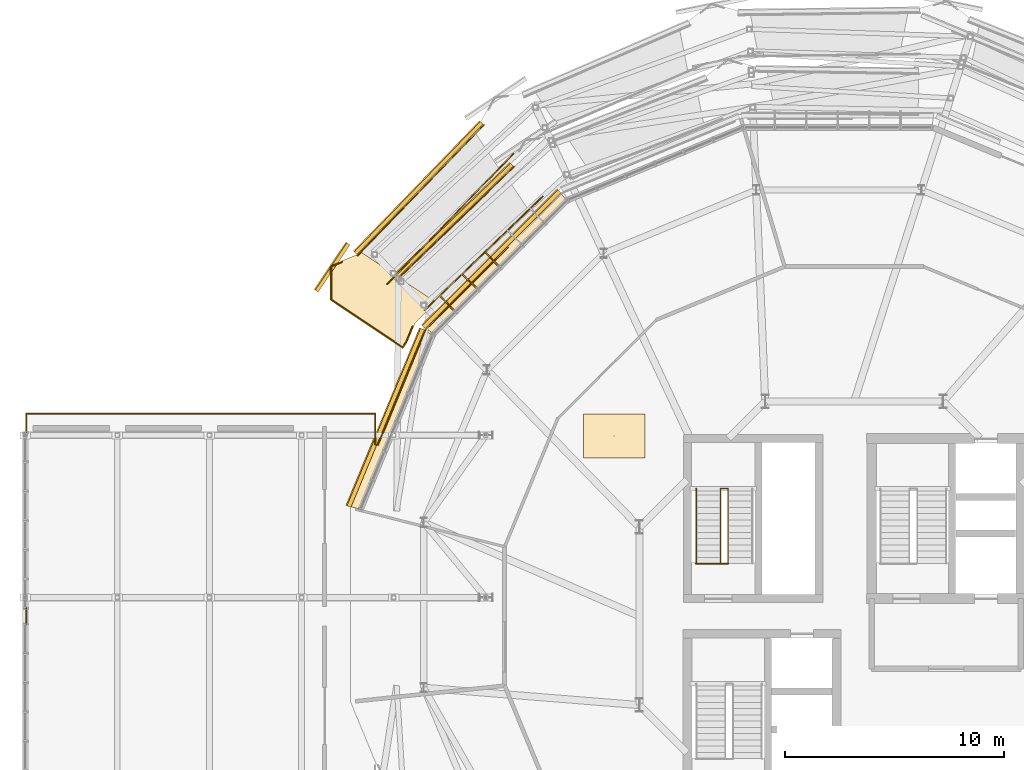
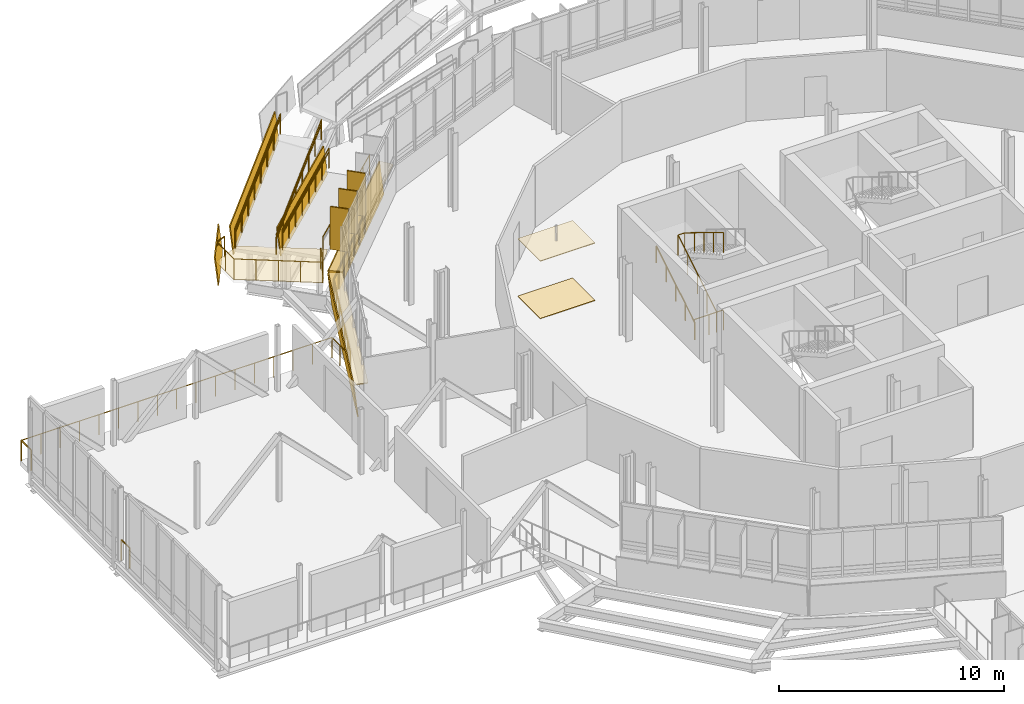
# One storey, part 102 of 107: 33 railings, 10 coverings, 3 shading devices.
"""IFC4 building model written with IfcOpenShell, lengths in metres."""

from ifc_helpers import new_model, si_unit, derived_unit, direction, frame, origin, origin_2d, place, context, subcontext, project, spatial, polyline, rectangle, circle, outline, extrude, material, layer, layer_set, type_object, element, save


model = new_model("IFC4")

# Units and contexts
model_context = context("Model", 3, precision=1e-05, world=origin(), true_north=direction((0.0, 1.0)))
body_context = subcontext(model_context, "Body", "Model", "MODEL_VIEW")
ifc_project = project(units=[si_unit("LENGTHUNIT", "METRE"), si_unit("AREAUNIT", "SQUARE_METRE"), si_unit("VOLUMEUNIT", "CUBIC_METRE"), si_unit("PLANEANGLEUNIT", "RADIAN"), si_unit("MASSUNIT", "GRAM", prefix="KILO"), derived_unit("THERMALTRANSMITTANCEUNIT", [(si_unit("MASSUNIT", "GRAM", prefix="KILO"), 1), (si_unit("TIMEUNIT", "SECOND"), -3), (si_unit("THERMODYNAMICTEMPERATUREUNIT", "KELVIN"), -1)])], contexts=[model_context])

# Site, building, storey
site_placement = place(None, origin())
site = spatial("IfcSite", under=ifc_project, at=site_placement, CompositionType="ELEMENT")
building_placement = place(site_placement, origin())
building = spatial("IfcBuilding", under=site, at=building_placement, Name="Makaiwela Harbour Ferry Terminal", CompositionType="ELEMENT")
storey_placement = place(building_placement, frame((0.0, 0.0, 9.60009765625)))
storey = spatial("IfcBuildingStorey", under=building, at=storey_placement, Name="L02", CompositionType="ELEMENT", Elevation=9.60009765625)

# Coverings
ifc_material_1 = material(Name="White glazed marine ceramic rainscreen tile", Category="masonry")
ifc_layer_1 = layer(ifc_material_1, 0.054931640625)
ifc_layer_set_1 = layer_set([ifc_layer_1], Name="White glazed marine ceramic rainscreen tile")
covering_type_1 = type_object("IfcCoveringType", Name="ENV-CLD-CERAMIC", PredefinedType="CLADDING", material=ifc_layer_set_1)
covering_1_placement = place(storey_placement, frame((24.439453125, 86.9130859375, -0.239990234375), z_axis=(0.702885612922, -0.702885612922, 0.109103759309), x_axis=(-0.707106947109, -0.707106615261, 2.137879e-06)))
element("IfcCovering", 1, at=covering_1_placement, inside=storey, type_object=covering_type_1, Name="Ceramic Spandrel Facet CLD-0053", PredefinedType="CLADDING", context=body_context, shape_type="SweptSolid", body=[
    extrude(outline(polyline([(0.0, 0.0), (8.757524390355305, -5.551115123125783e-17), (8.757528198331453, -1.770560641051703), (3.8080571655779483e-06, -1.7705983109775136), (0.0, 0.0)])), origin(), (0.0, 0.0, -1.0), 0.054931640625),
])
covering_2_placement = place(storey_placement, frame((0.0, 0.0, 1.47998046875)))
element("IfcCovering", 2, at=covering_2_placement, inside=storey, type_object=covering_type_1, Name="Ceramic Ring Sill Cap CLD-0054", PredefinedType="CLADDING", context=body_context, shape_type="SweptSolid", body=[
    extrude(outline(polyline([(24.302734375, 87.0498046875), (18.1103515625, 80.857177734375), (18.612548828125, 80.46484375), (24.695068359375, 86.54736328125), (24.302734375, 87.0498046875)])), origin(), (0.0, 0.0, 1.0), 0.054931640625),
])
covering_3_placement = place(storey_placement, frame((18.20361328125, 80.656005859375, -0.239990234375), z_axis=(0.918367954465, -0.380387945776, 0.109111460991), x_axis=(-0.382672684916, -0.923883984177, 0.0)))
element("IfcCovering", 3, at=covering_3_placement, inside=storey, type_object=covering_type_1, Name="Ceramic Spandrel Facet CLD-0055", PredefinedType="CLADDING", context=body_context, shape_type="SweptSolid", body=[
    extrude(outline(polyline([(0.0, 0.0), (8.757662857778147, 0.0), (8.757613269269331, -1.770580981784045), (-4.958850881633947e-05, -1.7705809817840452), (0.0, 0.0)])), origin(), (0.0, 0.0, -1.0), 0.054931640625),
])
covering_4_placement = place(storey_placement, frame((0.0, 0.0, 1.47998046875)))
element("IfcCovering", 4, at=covering_4_placement, inside=storey, type_object=covering_type_1, Name="Ceramic Ring Sill Cap CLD-0056", PredefinedType="CLADDING", context=body_context, shape_type="SweptSolid", body=[
    extrude(outline(polyline([(18.025146484375, 80.72998046875), (14.673828125, 72.638916015625), (15.2880859375, 72.46875), (18.579833984375, 80.416015625), (18.025146484375, 80.72998046875)])), origin(), (0.0, 0.0, 1.0), 0.054931640625),
])
covering_5_placement = place(storey_placement, frame((22.252197265625, 88.135498046875, 0.85986328125), z_axis=(0.696440652823, -0.709139254873, 0.109963331588), x_axis=(-0.717356115452, -0.692078722096, 0.080170106928)))
element("IfcCovering", 5, at=covering_5_placement, inside=storey, type_object=covering_type_1, Name="Coiled Ramp Ceramic Fascia CLD-R0041", PredefinedType="CLADDING", context=body_context, shape_type="SweptSolid", body=[
    extrude(outline(polyline([(0.0, 0.0), (7.485304426329747, 0.0), (7.6070730451682085, -1.5244389731286612), (0.12176861883846074, -1.5244389731286612), (0.0, 0.0)])), origin(), (0.0, 0.0, -1.0), 0.054931640625),
])
covering_6_placement = place(storey_placement, frame((14.805419921875, 84.534912109375, 1.4599609375), z_axis=(0.826426607134, -0.552211081496, 0.109918080831), x_axis=(-0.555577390069, -0.831464830069, -1.41527e-06)))
element("IfcCovering", 6, at=covering_6_placement, inside=storey, type_object=covering_type_1, Name="Coiled Ramp Ceramic Fascia CLD-R0042", PredefinedType="CLADDING", context=body_context, shape_type="SweptSolid", body=[
    extrude(outline(polyline([(0.0, 0.0), (2.5997523059280994, 2.7755575615628914e-17), (2.5999274690024916, -1.529289712637063), (-0.00016347028013386972, -1.5292823085918787), (0.0, 0.0)])), origin(), (0.0, 0.0, -1.0), 0.054931640625),
])
covering_7_placement = place(storey_placement, frame((15.122314453125, 84.098388671875, 1.4599609375), z_axis=(0.708763340023, -0.696823604296, 0.109960867293), x_axis=(0.693501347634, 0.716808603157, 0.072396873349)))
element("IfcCovering", 7, at=covering_7_placement, inside=storey, type_object=covering_type_1, Name="Coiled Ramp Ceramic Fascia CLD-R0043", PredefinedType="CLADDING", context=body_context, shape_type="SweptSolid", body=[
    extrude(outline(polyline([(0.0, 0.0), (8.2856273741991, -2.220446049250313e-16), (8.395688674810085, 1.525328247583873), (0.11006130061098614, 1.525328247583873), (0.0, 0.0)])), origin(), (0.0, 0.0, -1.0), 0.054931640625),
])

# Shading devices
ifc_material_2 = material(Name="Thermally modified Accoya timber and anodised aluminium", Category="wood")
ifc_layer_2 = layer(ifc_material_2, 0.06005859375)
ifc_layer_set_2 = layer_set([ifc_layer_2], Name="Thermally modified Accoya timber and anodised aluminium")
shading_device_type = type_object("IfcShadingDeviceType", Name="ENV-FIN-850", PredefinedType="USERDEFINED", material=ifc_layer_set_2)
for number, where, z_axis, x_axis, name in (
    (8, (21.2734375, 83.886474609375, 1.609375), (0.0, 0.0, 1.0), (-0.707106781187, 0.707106781187, 0.0), "Vertical Solar Fin SFN-0053"),
    (9, (20.259765625, 82.872802734375, 1.609375), (0.0, 0.0, 1.0), (-0.707106781187, 0.707106781187, 0.0), "Vertical Solar Fin SFN-0054"),
    (10, (19.24609375, 81.859130859375, 1.609375), (0.0, 0.0, 1.0), (-0.707106781187, 0.707106781187, 0.0), "Vertical Solar Fin SFN-0055"),
):
    element("IfcShadingDevice", number, at=place(storey_placement, frame(where, z_axis=z_axis, x_axis=x_axis)), inside=storey, type_object=shading_device_type, Name=name, ObjectType="SOLAR FIN", PredefinedType="USERDEFINED", context=body_context, shape_type="SweptSolid", body=[
        extrude(rectangle(XDim=0.85009765625, YDim=0.06005859375, at=origin_2d()), origin(), (0.0, 0.0, 1.0), 2.320068359375),
    ])

# Coverings
ifc_material_3 = material(Name="Thermally modified Accoya timber acoustic slat ceiling", Category="wood")
ifc_layer_3 = layer(ifc_material_3, 0.0400390625)
ifc_layer_set_3 = layer_set([ifc_layer_3], Name="Thermally modified Accoya timber acoustic slat ceiling")
covering_type_2 = type_object("IfcCoveringType", Name="INT-COV-CEIL", PredefinedType="CEILING", material=ifc_layer_set_3)
covering_8_placement = place(storey_placement, frame((0.0, 0.0, 3.099853515625)))
element("IfcCovering", 11, at=covering_8_placement, inside=storey, type_object=covering_type_2, Name="Acoustic Timber Ceiling CLG-047", PredefinedType="CEILING", context=body_context, shape_type="SweptSolid", body=[
    extrude(outline(polyline([(25.459228515625, 74.814697265625), (28.25927734375, 74.814697265625), (28.25927734375, 76.814697265625), (25.459228515625, 76.814697265625), (25.459228515625, 74.814697265625)])), origin(), (0.0, 0.0, 1.0), 0.0400390625),
])
ifc_material_4 = material(Name="Honed coral-aggregate epoxy terrazzo flooring", Category="concrete")
ifc_layer_4 = layer(ifc_material_4, 0.02490234375)
ifc_layer_set_4 = layer_set([ifc_layer_4], Name="Honed coral-aggregate epoxy terrazzo flooring")
covering_type_3 = type_object("IfcCoveringType", Name="INT-COV-FLR", PredefinedType="FLOORING", material=ifc_layer_set_4)
covering_9_placement = place(storey_placement, frame((0.0, 0.0, 1.7998046875)))
element("IfcCovering", 12, at=covering_9_placement, inside=storey, type_object=covering_type_3, Name="Ramp Landing Terrazzo RMP-COIL-L02-UTURN", PredefinedType="FLOORING", context=body_context, shape_type="SweptSolid", body=[
    extrude(outline(polyline([(17.41064453125, 80.0693359375), (17.787353515625, 80.978759765625), (17.787353515625, 80.97900390625), (17.787353515625, 80.97900390625), (17.78759765625, 80.979248046875), (17.78759765625, 80.9794921875), (18.4833984375, 81.67529296875), (18.669189453125, 81.953369140625), (15.343505859375, 84.175537109375), (13.897705078125, 83.577880859375), (13.89892578125, 82.013916015625), (17.224853515625, 79.79150390625), (17.41064453125, 80.0693359375)])), origin(), (0.0, 0.0, 1.0), 0.025146484375),
])
covering_10_placement = place(storey_placement, origin())
element("IfcCovering", 13, at=covering_10_placement, inside=storey, type_object=covering_type_3, Name="Terrazzo Flooring FLG-047", PredefinedType="FLOORING", context=body_context, shape_type="SweptSolid", body=[
    extrude(outline(polyline([(25.459228515625, 74.814697265625), (28.25927734375, 74.814697265625), (28.25927734375, 76.814697265625), (25.459228515625, 76.814697265625), (25.459228515625, 74.814697265625)])), origin(), (0.0, 0.0, 1.0), 0.02490234375),
])

# Railings
ifc_material_5 = material(Name="Marine grade 316L brushed stainless steel", Category="steel")
railing_type_1 = type_object("IfcRailingType", Name="INT-RL-GRD110", PredefinedType="GUARDRAIL", material=ifc_material_5)
railing_1_placement = place(storey_placement, frame((30.570068359375, 70.0, 0.0)))
element("IfcRailing", 14, at=railing_1_placement, inside=storey, type_object=railing_type_1, Name="Stair top well guardrail RL-0046", PredefinedType="GUARDRAIL", context=body_context, shape_type="SweptSolid", body=[
    extrude(circle(Radius=0.02392578125, at=origin_2d()), frame((0.0, 0.0, 1.09619140625), z_axis=(1.0, 0.0, 0.0), x_axis=(0.0, 1.0, 0.0)), (0.0, 0.0, 1.0), 1.47998046875),
    extrude(circle(Radius=0.02099609375, at=origin_2d()), origin(), (0.0, 0.0, 1.0), 1.072021484375),
    extrude(circle(Radius=0.02099609375, at=origin_2d()), frame((0.739990234375, 0.0, 0.0)), (0.0, 0.0, 1.0), 1.072021484375),
    extrude(circle(Radius=0.02099609375, at=origin_2d()), frame((1.47998046875, 0.0, 0.0)), (0.0, 0.0, 1.0), 1.072021484375),
])
railing_2_placement = place(storey_placement, frame((31.7099609375, 70.0, 0.0)))
element("IfcRailing", 15, at=railing_2_placement, inside=storey, type_object=railing_type_1, Name="Stair well guardrail RL-0049", PredefinedType="GUARDRAIL", context=body_context, shape_type="SweptSolid", body=[
    extrude(circle(Radius=0.02392578125, at=origin_2d()), frame((0.0, 0.0, 1.09619140625), z_axis=(0.0, 0.852182171552, 0.523245206847), x_axis=(-1.0, 0.0, 0.0)), (0.0, 0.0, 1.0), 4.01318359375),
    extrude(circle(Radius=0.02392578125, at=origin_2d()), frame((0.0, 3.419921875, 3.19580078125), z_axis=(1.0, 0.0, 0.0), x_axis=(0.0, 1.0, 0.0)), (0.0, 0.0, 1.0), 0.340087890625),
    extrude(circle(Radius=0.02392578125, at=origin_2d()), frame((0.340087890625, 3.419921875, 3.19580078125), z_axis=(0.0, -0.852155044755, 0.523289384279), x_axis=(1.0, 0.0, 0.0)), (0.0, 0.0, 1.0), 4.01318359375),
    extrude(circle(Radius=0.02099609375, at=origin_2d()), origin(), (0.0, 0.0, 1.0), 1.072021484375),
    extrude(circle(Radius=0.02099609375, at=origin_2d()), frame((0.0, 0.85498046875, 0.52490234375)), (0.0, 0.0, 1.0), 1.072021484375),
    extrude(circle(Radius=0.02099609375, at=origin_2d()), frame((0.0, 1.7099609375, 1.0498046875)), (0.0, 0.0, 1.0), 1.072021484375),
    extrude(circle(Radius=0.02099609375, at=origin_2d()), frame((0.0, 2.56494140625, 1.574951171875)), (0.0, 0.0, 1.0), 1.072021484375),
    extrude(circle(Radius=0.02099609375, at=origin_2d()), frame((0.0, 3.419921875, 2.099853515625)), (0.0, 0.0, 1.0), 1.072021484375),
    extrude(circle(Radius=0.02099609375, at=origin_2d()), frame((0.340087890625, 3.419921875, 2.099853515625)), (0.0, 0.0, 1.0), 1.072021484375),
    extrude(circle(Radius=0.02099609375, at=origin_2d()), frame((0.340087890625, 2.56494140625, 2.625)), (0.0, 0.0, 1.0), 1.072021484375),
    extrude(circle(Radius=0.02099609375, at=origin_2d()), frame((0.340087890625, 1.7099609375, 3.14990234375)), (0.0, 0.0, 1.0), 1.072021484375),
    extrude(circle(Radius=0.02099609375, at=origin_2d()), frame((0.340087890625, 0.85498046875, 3.6748046875)), (0.0, 0.0, 1.0), 1.072021484375),
    extrude(circle(Radius=0.02099609375, at=origin_2d()), frame((0.340087890625, 0.0, 4.199951171875)), (0.0, 0.0, 1.0), 1.072021484375),
])
for number, where, name in (
    (16, (23.59716796875, 86.741455078125, 1.199951171875), "Ramp guardrail RL-0173"),
    (17, (22.2919921875, 88.094482421875, 1.199951171875), "Ramp guardrail RL-0175"),
):
    element("IfcRailing", number, at=place(storey_placement, frame(where)), inside=storey, type_object=railing_type_1, Name=name, PredefinedType="GUARDRAIL", context=body_context, shape_type="SweptSolid", body=[
        extrude(circle(Radius=0.02392578125, at=origin_2d()), frame((0.0, 0.0, 1.09619140625), z_axis=(-0.717373822048, -0.692064338715, 0.08013582545), x_axis=(0.69429723106, -0.719688373494, 0.0)), (0.0, 0.0, 1.0), 7.4853515625),
        extrude(circle(Radius=0.02099609375, at=origin_2d()), origin(), (0.0, 0.0, 1.0), 1.072021484375),
        extrude(circle(Radius=0.02099609375, at=origin_2d()), frame((-0.76708984375, -0.739990234375, 0.085693359375)), (0.0, 0.0, 1.0), 1.072021484375),
        extrude(circle(Radius=0.02099609375, at=origin_2d()), frame((-1.5341796875, -1.480224609375, 0.17138671875)), (0.0, 0.0, 1.0), 1.072021484375),
        extrude(circle(Radius=0.02099609375, at=origin_2d()), frame((-2.30126953125, -2.22021484375, 0.257080078125)), (0.0, 0.0, 1.0), 1.072021484375),
        extrude(circle(Radius=0.02099609375, at=origin_2d()), frame((-3.068603515625, -2.960205078125, 0.3427734375)), (0.0, 0.0, 1.0), 1.072021484375),
        extrude(circle(Radius=0.02099609375, at=origin_2d()), frame((-3.835693359375, -3.7001953125, 0.428466796875)), (0.0, 0.0, 1.0), 1.072021484375),
        extrude(circle(Radius=0.02099609375, at=origin_2d()), frame((-4.602783203125, -4.4404296875, 0.51416015625)), (0.0, 0.0, 1.0), 1.072021484375),
        extrude(circle(Radius=0.02099609375, at=origin_2d()), frame((-5.369873046875, -5.180419921875, 0.599853515625)), (0.0, 0.0, 1.0), 1.072021484375),
    ])
for number, where, name in (
    (18, (16.514404296875, 82.751708984375, 1.7998046875), "Ramp guardrail RL-0177"),
    (19, (15.163330078125, 84.058837890625, 1.7998046875), "Ramp guardrail RL-0179"),
):
    element("IfcRailing", number, at=place(storey_placement, frame(where)), inside=storey, type_object=railing_type_1, Name=name, PredefinedType="GUARDRAIL", context=body_context, shape_type="SweptSolid", body=[
        extrude(circle(Radius=0.02392578125, at=origin_2d()), frame((0.0, 0.0, 1.09619140625), z_axis=(0.693499867951, 0.716807073744, 0.072426184374), x_axis=(-0.718694527005, 0.695325950079, 0.0)), (0.0, 0.0, 1.0), 8.28564453125),
        extrude(circle(Radius=0.02099609375, at=origin_2d()), origin(), (0.0, 0.0, 1.0), 1.072021484375),
        extrude(circle(Radius=0.02099609375, at=origin_2d()), frame((0.82080078125, 0.848388671875, 0.085693359375)), (0.0, 0.0, 1.0), 1.072021484375),
        extrude(circle(Radius=0.02099609375, at=origin_2d()), frame((1.641845703125, 1.697021484375, 0.17138671875)), (0.0, 0.0, 1.0), 1.072021484375),
        extrude(circle(Radius=0.02099609375, at=origin_2d()), frame((2.462646484375, 2.54541015625, 0.257080078125)), (0.0, 0.0, 1.0), 1.072021484375),
        extrude(circle(Radius=0.02099609375, at=origin_2d()), frame((3.283447265625, 3.393798828125, 0.343017578125)), (0.0, 0.0, 1.0), 1.072021484375),
        extrude(circle(Radius=0.02099609375, at=origin_2d()), frame((4.104248046875, 4.2421875, 0.4287109375)), (0.0, 0.0, 1.0), 1.072021484375),
        extrude(circle(Radius=0.02099609375, at=origin_2d()), frame((4.92529296875, 5.0908203125, 0.514404296875)), (0.0, 0.0, 1.0), 1.072021484375),
        extrude(circle(Radius=0.02099609375, at=origin_2d()), frame((5.74609375, 5.939208984375, 0.60009765625)), (0.0, 0.0, 1.0), 1.072021484375),
    ])
railing_3_placement = place(storey_placement, frame((0.044921875, 67.239990234375, 0.0)))
element("IfcRailing", 20, at=railing_3_placement, inside=storey, type_object=railing_type_1, Name="Deck edge guardrail RL-0442", PredefinedType="GUARDRAIL", context=body_context, shape_type="SweptSolid", body=[
    extrude(circle(Radius=0.02392578125, at=origin_2d()), frame((0.0, 0.0, 1.09619140625), z_axis=(0.0, 1.0, 0.0), x_axis=(-1.0, 0.0, 0.0)), (0.0, 0.0, 1.0), 0.719970703125),
    extrude(circle(Radius=0.02099609375, at=origin_2d()), origin(), (0.0, 0.0, 1.0), 1.072021484375),
    extrude(circle(Radius=0.02099609375, at=origin_2d()), frame((0.0, 0.719970703125, 0.0)), (0.0, 0.0, 1.0), 1.072021484375),
])
railing_4_placement = place(storey_placement, frame((0.044921875, 75.969970703125, 0.0)))
element("IfcRailing", 21, at=railing_4_placement, inside=storey, type_object=railing_type_1, Name="Deck edge guardrail RL-0443", PredefinedType="GUARDRAIL", context=body_context, shape_type="SweptSolid", body=[
    extrude(circle(Radius=0.02392578125, at=origin_2d()), frame((0.0, 0.0, 1.09619140625), z_axis=(0.0, 1.0, 0.0), x_axis=(-1.0, 0.0, 0.0)), (0.0, 0.0, 1.0), 0.864990234375),
    extrude(circle(Radius=0.02099609375, at=origin_2d()), origin(), (0.0, 0.0, 1.0), 1.072021484375),
    extrude(circle(Radius=0.02099609375, at=origin_2d()), frame((0.0, 0.864990234375, 0.0)), (0.0, 0.0, 1.0), 1.072021484375),
])
for number, where, name in (
    (22, (0.044921875, 76.8349609375, 0.0), "Deck edge guardrail RL-0444"),
    (23, (2.03369140625, 76.8349609375, 0.0), "Deck edge guardrail RL-0445"),
    (24, (4.0224609375, 76.8349609375, 0.0), "Deck edge guardrail RL-0446"),
    (25, (6.01123046875, 76.8349609375, 0.0), "Deck edge guardrail RL-0447"),
    (26, (8.0, 76.8349609375, 0.0), "Deck edge guardrail RL-0448"),
    (27, (9.98876953125, 76.8349609375, 0.0), "Deck edge guardrail RL-0449"),
    (28, (11.9775390625, 76.8349609375, 0.0), "Deck edge guardrail RL-0450"),
    (29, (13.96630859375, 76.8349609375, 0.0), "Deck edge guardrail RL-0451"),
):
    element("IfcRailing", number, at=place(storey_placement, frame(where)), inside=storey, type_object=railing_type_1, Name=name, PredefinedType="GUARDRAIL", context=body_context, shape_type="SweptSolid", body=[
        extrude(circle(Radius=0.02392578125, at=origin_2d()), frame((0.0, 0.0, 1.09619140625), z_axis=(1.0, 0.0, 0.0), x_axis=(0.0, 1.0, 0.0)), (0.0, 0.0, 1.0), 1.98876953125),
        extrude(circle(Radius=0.02099609375, at=origin_2d()), origin(), (0.0, 0.0, 1.0), 1.072021484375),
        extrude(circle(Radius=0.02099609375, at=origin_2d()), frame((0.994384765625, 0.0, 0.0)), (0.0, 0.0, 1.0), 1.072021484375),
        extrude(circle(Radius=0.02099609375, at=origin_2d()), frame((1.98876953125, 0.0, 0.0)), (0.0, 0.0, 1.0), 1.072021484375),
    ])
railing_5_placement = place(storey_placement, frame((15.955078125, 76.8349609375, 0.0)))
element("IfcRailing", 30, at=railing_5_placement, inside=storey, type_object=railing_type_1, Name="Deck edge guardrail RL-0452", PredefinedType="GUARDRAIL", context=body_context, shape_type="SweptSolid", body=[
    extrude(circle(Radius=0.02392578125, at=origin_2d()), frame((0.0, 0.0, 1.09619140625), z_axis=(0.0, -1.0, 0.0), x_axis=(1.0, 0.0, 0.0)), (0.0, 0.0, 1.0), 1.397705078125),
    extrude(circle(Radius=0.02099609375, at=origin_2d()), origin(), (0.0, 0.0, 1.0), 1.072021484375),
    extrude(circle(Radius=0.02099609375, at=origin_2d()), frame((0.0, -0.69873046875, 0.0)), (0.0, 0.0, 1.0), 1.072021484375),
    extrude(circle(Radius=0.02099609375, at=origin_2d()), frame((0.0, -1.397705078125, 0.0)), (0.0, 0.0, 1.0), 1.072021484375),
])
railing_6_placement = place(storey_placement, frame((16.080078125, 75.41650390625, 0.0)))
element("IfcRailing", 31, at=railing_6_placement, inside=storey, type_object=railing_type_1, Name="Deck edge guardrail RL-0453", PredefinedType="GUARDRAIL", context=body_context, shape_type="SweptSolid", body=[
    extrude(circle(Radius=0.02392578125, at=origin_2d()), frame((0.0, 0.0, 1.09619140625), z_axis=(0.382693194178, 0.923875488976, 0.0), x_axis=(-0.923875488976, 0.382693194178, 0.0)), (0.0, 0.0, 1.0), 1.894775390625),
    extrude(circle(Radius=0.02099609375, at=origin_2d()), origin(), (0.0, 0.0, 1.0), 1.072021484375),
    extrude(circle(Radius=0.02099609375, at=origin_2d()), frame((0.362548828125, 0.875244140625, 0.0)), (0.0, 0.0, 1.0), 1.072021484375),
    extrude(circle(Radius=0.02099609375, at=origin_2d()), frame((0.72509765625, 1.75048828125, 0.0)), (0.0, 0.0, 1.0), 1.072021484375),
])
railing_7_placement = place(storey_placement, frame((16.80517578125, 77.1669921875, 0.0)))
element("IfcRailing", 32, at=railing_7_placement, inside=storey, type_object=railing_type_1, Name="Deck edge guardrail RL-0454", PredefinedType="GUARDRAIL", context=body_context, shape_type="SweptSolid", body=[
    extrude(circle(Radius=0.02392578125, at=origin_2d()), frame((0.0, 0.0, 1.09619140625), z_axis=(0.382647641784, 0.923894356643, 0.0), x_axis=(-0.923894356643, 0.382647641784, 0.0)), (0.0, 0.0, 1.0), 1.89501953125),
    extrude(circle(Radius=0.02099609375, at=origin_2d()), origin(), (0.0, 0.0, 1.0), 1.072021484375),
    extrude(circle(Radius=0.02099609375, at=origin_2d()), frame((0.362548828125, 0.87548828125, 0.0)), (0.0, 0.0, 1.0), 1.072021484375),
    extrude(circle(Radius=0.02099609375, at=origin_2d()), frame((0.72509765625, 1.750732421875, 0.0)), (0.0, 0.0, 1.0), 1.072021484375),
])
railing_8_placement = place(storey_placement, frame((17.5302734375, 78.917724609375, 0.0)))
element("IfcRailing", 33, at=railing_8_placement, inside=storey, type_object=railing_type_1, Name="Deck edge guardrail RL-0455", PredefinedType="GUARDRAIL", context=body_context, shape_type="SweptSolid", body=[
    extrude(circle(Radius=0.02392578125, at=origin_2d()), frame((0.0, 0.0, 1.09619140625), z_axis=(0.382693194178, 0.923875488976, 0.0), x_axis=(-0.923875488976, 0.382693194178, 0.0)), (0.0, 0.0, 1.0), 1.894775390625),
    extrude(circle(Radius=0.02099609375, at=origin_2d()), origin(), (0.0, 0.0, 1.0), 1.072021484375),
    extrude(circle(Radius=0.02099609375, at=origin_2d()), frame((0.362548828125, 0.875244140625, 0.0)), (0.0, 0.0, 1.0), 1.072021484375),
    extrude(circle(Radius=0.02099609375, at=origin_2d()), frame((0.72509765625, 1.75048828125, 0.0)), (0.0, 0.0, 1.0), 1.072021484375),
])
for number, where, name in (
    (34, (18.25537109375, 80.668212890625, 0.0), "Deck edge guardrail RL-0456"),
    (35, (19.502685546875, 81.91552734375, 0.0), "Deck edge guardrail RL-0457"),
    (36, (20.75, 83.162841796875, 0.0), "Deck edge guardrail RL-0458"),
):
    element("IfcRailing", number, at=place(storey_placement, frame(where)), inside=storey, type_object=railing_type_1, Name=name, PredefinedType="GUARDRAIL", context=body_context, shape_type="SweptSolid", body=[
        extrude(circle(Radius=0.02392578125, at=origin_2d()), frame((0.0, 0.0, 1.09619140625), z_axis=(0.707106781187, 0.707106781187, 0.0), x_axis=(-0.707106781187, 0.707106781187, 0.0)), (0.0, 0.0, 1.0), 1.763916015625),
        extrude(circle(Radius=0.02099609375, at=origin_2d()), origin(), (0.0, 0.0, 1.0), 1.072021484375),
        extrude(circle(Radius=0.02099609375, at=origin_2d()), frame((0.62353515625, 0.62353515625, 0.0)), (0.0, 0.0, 1.0), 1.072021484375),
        extrude(circle(Radius=0.02099609375, at=origin_2d()), frame((1.247314453125, 1.247314453125, 0.0)), (0.0, 0.0, 1.0), 1.072021484375),
    ])
railing_9_placement = place(storey_placement, frame((13.94287109375, 83.5478515625, 1.7998046875)))
element("IfcRailing", 37, at=railing_9_placement, inside=storey, type_object=railing_type_1, Name="Deck edge guardrail RL-0621", PredefinedType="GUARDRAIL", context=body_context, shape_type="SweptSolid", body=[
    extrude(circle(Radius=0.02392578125, at=origin_2d()), frame((0.0, 0.0, 1.09619140625), z_axis=(0.924192316994, 0.381927429245, 0.0), x_axis=(-0.381927429245, 0.924192316994, 0.0)), (0.0, 0.0, 1.0), 0.5419921875),
    extrude(circle(Radius=0.02099609375, at=origin_2d()), origin(), (0.0, 0.0, 1.0), 1.072021484375),
    extrude(circle(Radius=0.02099609375, at=origin_2d()), frame((0.5009765625, 0.20703125, 0.0)), (0.0, 0.0, 1.0), 1.072021484375),
])
railing_10_placement = place(storey_placement, frame((17.665283203125, 80.802001953125, 1.7998046875)))
element("IfcRailing", 38, at=railing_10_placement, inside=storey, type_object=railing_type_1, Name="Deck edge guardrail RL-0622", PredefinedType="GUARDRAIL", context=body_context, shape_type="SweptSolid", body=[
    extrude(circle(Radius=0.02392578125, at=origin_2d()), frame((0.0, 0.0, 1.09619140625), z_axis=(-0.382790597092, -0.923835136146, 0.0), x_axis=(0.923835136146, -0.382790597092, 0.0)), (0.0, 0.0, 1.0), 0.769775390625),
    extrude(circle(Radius=0.02099609375, at=origin_2d()), origin(), (0.0, 0.0, 1.0), 1.072021484375),
    extrude(circle(Radius=0.02099609375, at=origin_2d()), frame((-0.294677734375, -0.711181640625, 0.0)), (0.0, 0.0, 1.0), 1.072021484375),
])
railing_11_placement = place(storey_placement, frame((17.37060546875, 80.0908203125, 1.7998046875)))
element("IfcRailing", 39, at=railing_11_placement, inside=storey, type_object=railing_type_1, Name="Deck edge guardrail RL-0623", PredefinedType="GUARDRAIL", context=body_context, shape_type="SweptSolid", body=[
    extrude(circle(Radius=0.02392578125, at=origin_2d()), frame((0.0, 0.0, 1.09619140625), z_axis=(-0.555491243445, -0.831522386022, 0.0), x_axis=(0.831522386022, -0.555491243445, 0.0)), (0.0, 0.0, 1.0), 0.284912109375),
    extrude(circle(Radius=0.02099609375, at=origin_2d()), origin(), (0.0, 0.0, 1.0), 1.072021484375),
    extrude(circle(Radius=0.02099609375, at=origin_2d()), frame((-0.158203125, -0.23681640625, 0.0)), (0.0, 0.0, 1.0), 1.072021484375),
])
railing_12_placement = place(storey_placement, frame((17.21240234375, 79.85400390625, 1.7998046875)))
element("IfcRailing", 40, at=railing_12_placement, inside=storey, type_object=railing_type_1, Name="Deck edge guardrail RL-0624", PredefinedType="GUARDRAIL", context=body_context, shape_type="SweptSolid", body=[
    extrude(circle(Radius=0.02392578125, at=origin_2d()), frame((0.0, 0.0, 1.09619140625), z_axis=(-0.831514814588, 0.55550257706, 0.0), x_axis=(-0.55550257706, -0.831514814588, 0.0)), (0.0, 0.0, 1.0), 1.96533203125),
    extrude(circle(Radius=0.02099609375, at=origin_2d()), origin(), (0.0, 0.0, 1.0), 1.072021484375),
    extrude(circle(Radius=0.02099609375, at=origin_2d()), frame((-0.817138671875, 0.5458984375, 0.0)), (0.0, 0.0, 1.0), 1.072021484375),
    extrude(circle(Radius=0.02099609375, at=origin_2d()), frame((-1.63427734375, 1.091796875, 0.0)), (0.0, 0.0, 1.0), 1.072021484375),
])
railing_13_placement = place(storey_placement, frame((15.578125, 80.94580078125, 1.7998046875)))
element("IfcRailing", 41, at=railing_13_placement, inside=storey, type_object=railing_type_1, Name="Deck edge guardrail RL-0625", PredefinedType="GUARDRAIL", context=body_context, shape_type="SweptSolid", body=[
    extrude(circle(Radius=0.02392578125, at=origin_2d()), frame((0.0, 0.0, 1.09619140625), z_axis=(-0.831419090078, 0.55564583743, 0.0), x_axis=(-0.55564583743, -0.831419090078, 0.0)), (0.0, 0.0, 1.0), 1.96533203125),
    extrude(circle(Radius=0.02099609375, at=origin_2d()), origin(), (0.0, 0.0, 1.0), 1.072021484375),
    extrude(circle(Radius=0.02099609375, at=origin_2d()), frame((-0.81689453125, 0.5458984375, 0.0)), (0.0, 0.0, 1.0), 1.072021484375),
    extrude(circle(Radius=0.02099609375, at=origin_2d()), frame((-1.634033203125, 1.092041015625, 0.0)), (0.0, 0.0, 1.0), 1.072021484375),
])
railing_14_placement = place(storey_placement, frame((13.944091796875, 82.037841796875, 1.7998046875)))
element("IfcRailing", 42, at=railing_14_placement, inside=storey, type_object=railing_type_1, Name="Deck edge guardrail RL-0626", PredefinedType="GUARDRAIL", context=body_context, shape_type="SweptSolid", body=[
    extrude(circle(Radius=0.02392578125, at=origin_2d()), frame((0.0, 0.0, 1.09619140625), z_axis=(-0.000808407173, 0.999999673239, 0.0), x_axis=(-0.999999673239, -0.000808407173, 0.0)), (0.0, 0.0, 1.0), 1.510009765625),
    extrude(circle(Radius=0.02099609375, at=origin_2d()), origin(), (0.0, 0.0, 1.0), 1.072021484375),
    extrude(circle(Radius=0.02099609375, at=origin_2d()), frame((-0.00048828125, 0.7548828125, 0.0)), (0.0, 0.0, 1.0), 1.072021484375),
    extrude(circle(Radius=0.02099609375, at=origin_2d()), frame((-0.001220703125, 1.510009765625, 0.0)), (0.0, 0.0, 1.0), 1.072021484375),
])
railing_type_2 = type_object("IfcRailingType", Name="INT-RL-HND090", PredefinedType="HANDRAIL", material=ifc_material_5)
railing_15_placement = place(storey_placement, frame((30.60009765625, 70.0, 0.0)))
element("IfcRailing", 43, at=railing_15_placement, inside=storey, type_object=railing_type_2, Name="Stair wall handrail RL-0051", PredefinedType="HANDRAIL", context=body_context, shape_type="SweptSolid", body=[
    extrude(circle(Radius=0.02392578125, at=origin_2d()), frame((0.0, 0.0, 0.89111328125), z_axis=(0.0, 0.852182171552, 0.523245206847), x_axis=(-1.0, 0.0, 0.0)), (0.0, 0.0, 1.0), 4.01318359375),
    extrude(circle(Radius=0.02099609375, at=origin_2d()), origin(), (0.0, 0.0, 1.0), 0.866943359375),
    extrude(circle(Radius=0.02099609375, at=origin_2d()), frame((0.0, 0.85498046875, 0.52490234375)), (0.0, 0.0, 1.0), 0.866943359375),
    extrude(circle(Radius=0.02099609375, at=origin_2d()), frame((0.0, 1.7099609375, 1.0498046875)), (0.0, 0.0, 1.0), 0.866943359375),
    extrude(circle(Radius=0.02099609375, at=origin_2d()), frame((0.0, 2.56494140625, 1.574951171875)), (0.0, 0.0, 1.0), 0.866943359375),
    extrude(circle(Radius=0.02099609375, at=origin_2d()), frame((0.0, 3.419921875, 2.099853515625)), (0.0, 0.0, 1.0), 0.866943359375),
])
railing_16_placement = place(storey_placement, frame((22.2919921875, 88.094482421875, 1.199951171875)))
element("IfcRailing", 44, at=railing_16_placement, inside=storey, type_object=railing_type_2, Name="Ramp handrail RL-0176", PredefinedType="HANDRAIL", context=body_context, shape_type="SweptSolid", body=[
    extrude(circle(Radius=0.02392578125, at=origin_2d()), frame((0.0, 0.0, 0.89111328125), z_axis=(-0.717373822048, -0.692064338715, 0.08013582545), x_axis=(0.69429723106, -0.719688373494, 0.0)), (0.0, 0.0, 1.0), 7.4853515625),
    extrude(circle(Radius=0.02099609375, at=origin_2d()), origin(), (0.0, 0.0, 1.0), 0.866943359375),
    extrude(circle(Radius=0.02099609375, at=origin_2d()), frame((-0.76708984375, -0.739990234375, 0.085693359375)), (0.0, 0.0, 1.0), 0.866943359375),
    extrude(circle(Radius=0.02099609375, at=origin_2d()), frame((-1.5341796875, -1.480224609375, 0.17138671875)), (0.0, 0.0, 1.0), 0.866943359375),
    extrude(circle(Radius=0.02099609375, at=origin_2d()), frame((-2.30126953125, -2.22021484375, 0.257080078125)), (0.0, 0.0, 1.0), 0.866943359375),
    extrude(circle(Radius=0.02099609375, at=origin_2d()), frame((-3.068603515625, -2.960205078125, 0.3427734375)), (0.0, 0.0, 1.0), 0.866943359375),
    extrude(circle(Radius=0.02099609375, at=origin_2d()), frame((-3.835693359375, -3.7001953125, 0.428466796875)), (0.0, 0.0, 1.0), 0.866943359375),
    extrude(circle(Radius=0.02099609375, at=origin_2d()), frame((-4.602783203125, -4.4404296875, 0.51416015625)), (0.0, 0.0, 1.0), 0.866943359375),
    extrude(circle(Radius=0.02099609375, at=origin_2d()), frame((-5.369873046875, -5.180419921875, 0.599853515625)), (0.0, 0.0, 1.0), 0.866943359375),
])
for number, where, name in (
    (45, (16.514404296875, 82.751708984375, 1.7998046875), "Ramp handrail RL-0178"),
    (46, (15.163330078125, 84.058837890625, 1.7998046875), "Ramp handrail RL-0180"),
):
    element("IfcRailing", number, at=place(storey_placement, frame(where)), inside=storey, type_object=railing_type_2, Name=name, PredefinedType="HANDRAIL", context=body_context, shape_type="SweptSolid", body=[
        extrude(circle(Radius=0.02392578125, at=origin_2d()), frame((0.0, 0.0, 0.89111328125), z_axis=(0.693499867951, 0.716807073744, 0.072426184374), x_axis=(-0.718694527005, 0.695325950079, 0.0)), (0.0, 0.0, 1.0), 8.28564453125),
        extrude(circle(Radius=0.02099609375, at=origin_2d()), origin(), (0.0, 0.0, 1.0), 0.866943359375),
        extrude(circle(Radius=0.02099609375, at=origin_2d()), frame((0.82080078125, 0.848388671875, 0.085693359375)), (0.0, 0.0, 1.0), 0.866943359375),
        extrude(circle(Radius=0.02099609375, at=origin_2d()), frame((1.641845703125, 1.697021484375, 0.17138671875)), (0.0, 0.0, 1.0), 0.866943359375),
        extrude(circle(Radius=0.02099609375, at=origin_2d()), frame((2.462646484375, 2.54541015625, 0.257080078125)), (0.0, 0.0, 1.0), 0.866943359375),
        extrude(circle(Radius=0.02099609375, at=origin_2d()), frame((3.283447265625, 3.393798828125, 0.343017578125)), (0.0, 0.0, 1.0), 0.866943359375),
        extrude(circle(Radius=0.02099609375, at=origin_2d()), frame((4.104248046875, 4.2421875, 0.4287109375)), (0.0, 0.0, 1.0), 0.866943359375),
        extrude(circle(Radius=0.02099609375, at=origin_2d()), frame((4.92529296875, 5.0908203125, 0.514404296875)), (0.0, 0.0, 1.0), 0.866943359375),
        extrude(circle(Radius=0.02099609375, at=origin_2d()), frame((5.74609375, 5.939208984375, 0.60009765625)), (0.0, 0.0, 1.0), 0.866943359375),
    ])

save(model, "model.ifc")
